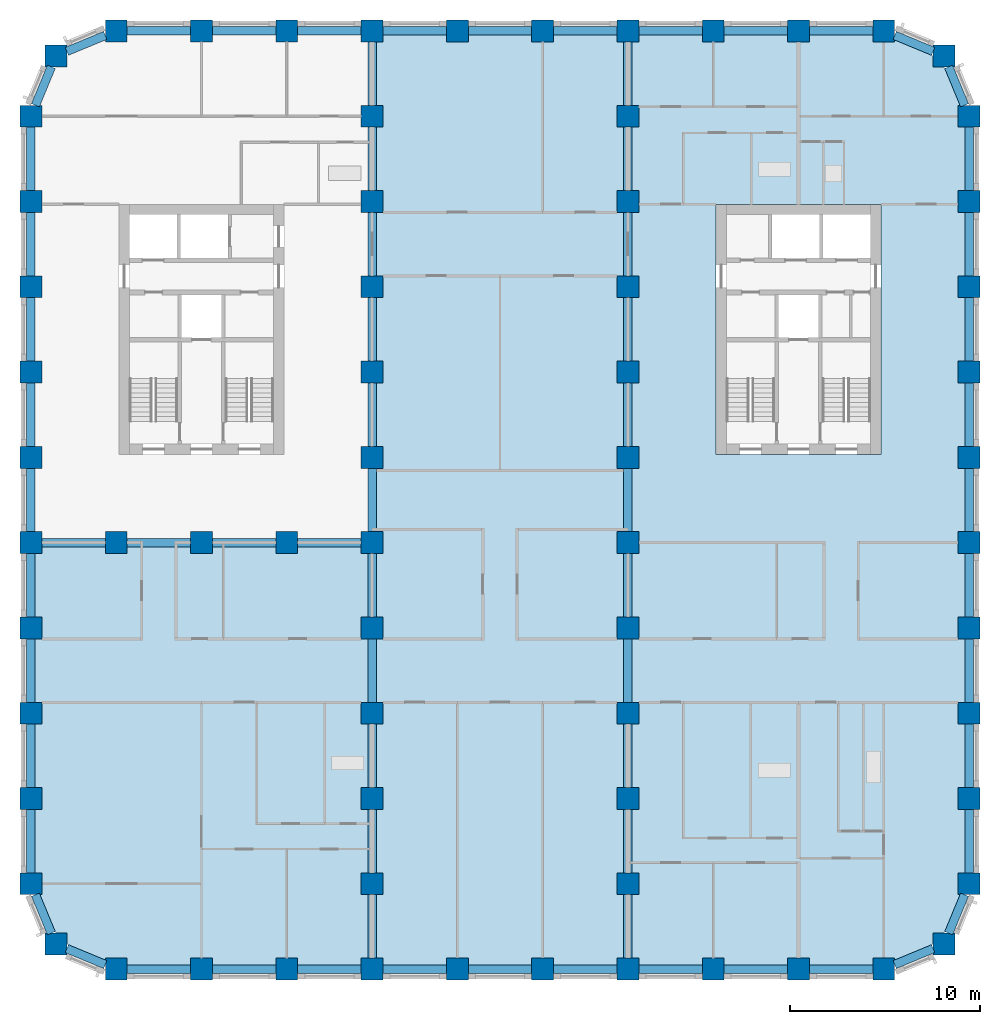
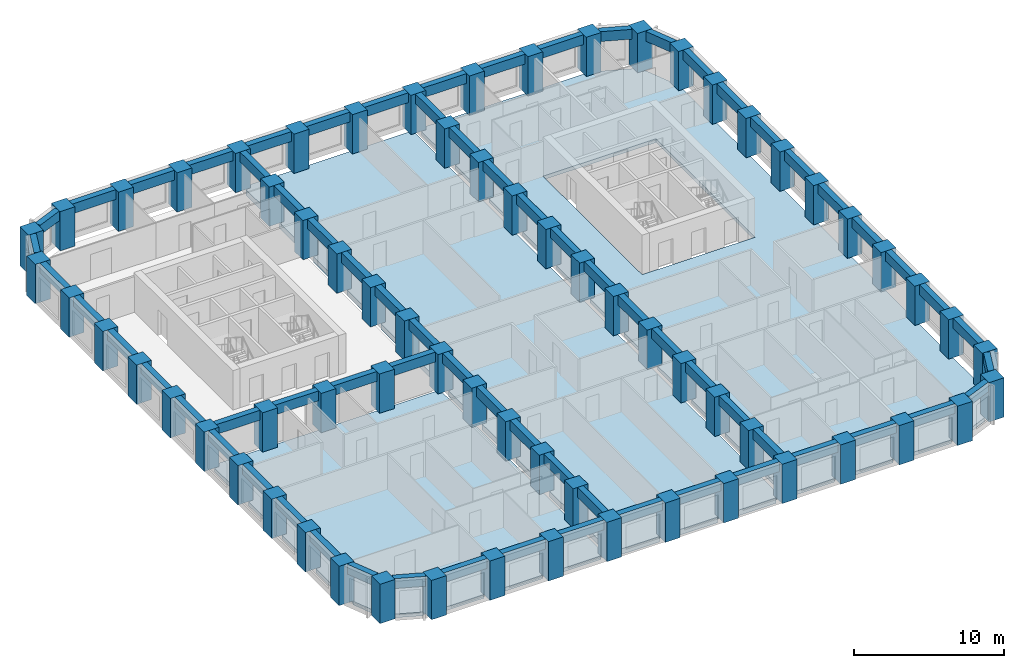
# One storey, part 1 of 12: 70 beams, 67 columns, 3 slabs.
"""IFC4 building model written with IfcOpenShell, lengths in metres."""

import ifcopenshell
import ifcopenshell.guid

model = None  # the IFC model being written
_history = None  # IfcOwnerHistory: only IFC2X3 demands one
_inside = {}  # id of a spatial element -> (the spatial element, [elements in it])
_under = {}  # id of a project, library or spatial element -> (it, [spatial elements below it])
_declared = {}  # id of a project -> (the project, [libraries it declares])
_typed = {}  # id of a type object -> (the type object, [elements of that type])
_made_of = {}  # id of a material, layer set ... -> (it, [elements and type objects made of it])


def new_model(schema):
    """Start an empty IFC model of exactly this schema.

    Asked for "IFC4X3", IfcOpenShell would pick the latest addendum, in which some entities
    have other attributes; the version numbers below select the first issue.
    IFC2X3 requires an IfcOwnerHistory on every rooted entity: one is made here for all.
    """
    global model, _history
    if schema == "IFC4X3":
        model = ifcopenshell.file(schema_version=(4, 3, 0, 0))
    else:
        model = ifcopenshell.file(schema=schema)
    _inside.clear()
    _under.clear()
    _declared.clear()
    _typed.clear()
    _made_of.clear()
    _history = None
    if model.schema == "IFC2X3":
        org = make("IfcOrganization", Name="unknown")
        user = make(
            "IfcPersonAndOrganization",
            ThePerson=make("IfcPerson", FamilyName="unknown"),
            TheOrganization=org,
        )
        app = make(
            "IfcApplication",
            ApplicationDeveloper=org,
            Version="unknown",
            ApplicationFullName="unknown",
            ApplicationIdentifier="unknown",
        )
        _history = make(
            "IfcOwnerHistory",
            OwningUser=user,
            OwningApplication=app,
            ChangeAction="ADDED",
            CreationDate=0,
        )
    return model


def make(cls, **values):
    """One entity of the class cls with the attributes given. An attribute that is None is left unset."""
    return model.create_entity(
        cls, **{name: value for name, value in values.items() if value is not None}
    )


def rooted(cls, **values):
    """An entity with a GlobalId (a new one), such as an element, a storey or a relation."""
    return make(cls, GlobalId=ifcopenshell.guid.new(), OwnerHistory=_history, **values)


def si_unit(unit_type, name, prefix=None):
    """IfcSIUnit, for example si_unit("LENGTHUNIT", "METRE", prefix="MILLI")."""
    return make("IfcSIUnit", UnitType=unit_type, Prefix=prefix, Name=name)


def assignment(units):
    """IfcUnitAssignment: the units of a project."""
    return None if units is None else make("IfcUnitAssignment", Units=units)


def point(xyz):
    """IfcCartesianPoint."""
    return None if xyz is None else make("IfcCartesianPoint", Coordinates=xyz)


def direction(xyz):
    """IfcDirection."""
    return None if xyz is None else make("IfcDirection", DirectionRatios=xyz)


def frame(location, z_axis=None, x_axis=None):
    """IfcAxis2Placement3D, a coordinate frame: its origin and axes. An axis left out is left unset."""
    return make(
        "IfcAxis2Placement3D",
        Location=point(location),
        Axis=direction(z_axis),
        RefDirection=direction(x_axis),
    )


def frame_2d(location, x_axis=None):
    """IfcAxis2Placement2D, a coordinate frame in the plane: its origin and x axis."""
    return make(
        "IfcAxis2Placement2D", Location=point(location), RefDirection=direction(x_axis)
    )


def origin():
    """The frame at (0, 0, 0) with its axes left unset."""
    return frame((0.0, 0.0, 0.0))


def origin_2d():
    """The frame at (0, 0) in the plane with its x axis left unset."""
    return frame_2d((0.0, 0.0))


def place(relative_to, where):
    """IfcLocalPlacement: puts the frame where relative to a parent placement (None: the world)."""
    return make(
        "IfcLocalPlacement", PlacementRelTo=relative_to, RelativePlacement=where
    )


def context(
    kind, dimensions, precision=None, world=None, true_north=None, identifier=None
):
    """IfcGeometricRepresentationContext, for example the 3D "Model" context."""
    return make(
        "IfcGeometricRepresentationContext",
        ContextIdentifier=identifier,
        ContextType=kind,
        CoordinateSpaceDimension=dimensions,
        Precision=precision,
        WorldCoordinateSystem=world,
        TrueNorth=true_north,
    )


def subcontext(parent, identifier, kind, view, scale=None):
    """IfcGeometricRepresentationSubContext, for example "Body" below "Model"."""
    return make(
        "IfcGeometricRepresentationSubContext",
        ContextIdentifier=identifier,
        ContextType=kind,
        ParentContext=parent,
        TargetScale=scale,
        TargetView=view,
    )


def project(units=None, contexts=None):
    """IfcProject with its units and contexts."""
    return rooted(
        "IfcProject",
        Name="project",
        RepresentationContexts=contexts,
        UnitsInContext=assignment(units),
    )


def spatial(cls, under=None, at=None, **own):
    """A site, building, storey or space (cls), placed at a placement, below another one or the project."""
    s = rooted(cls, ObjectPlacement=at, **own)
    if under is not None:
        _under.setdefault(under.id(), (under, []))[1].append(s)
    return s


def polyline(points):
    """IfcPolyline through the points."""
    return make("IfcPolyline", Points=[point(p) for p in points])


def profile(cls, at=None, kind="AREA", **sizes):
    """A parametric profile (cls). Its sizes go by their IFC names, for example OverallWidth=200.0."""
    return make(cls, ProfileType=kind, Position=at, **sizes)


def rectangle(**sizes):
    """IfcRectangleProfileDef."""
    return profile("IfcRectangleProfileDef", **sizes)


def outline(outer, holes=None, kind="AREA"):
    """IfcArbitraryClosedProfileDef: a profile drawn as a closed curve; with holes, ...WithVoids."""
    if holes is None:
        return make("IfcArbitraryClosedProfileDef", ProfileType=kind, OuterCurve=outer)
    return make(
        "IfcArbitraryProfileDefWithVoids",
        ProfileType=kind,
        OuterCurve=outer,
        InnerCurves=holes,
    )


def extrude(swept, where, along, depth):
    """IfcExtrudedAreaSolid: the profile swept, set in the frame where, extruded along a direction by depth."""
    return make(
        "IfcExtrudedAreaSolid",
        SweptArea=swept,
        Position=where,
        ExtrudedDirection=direction(along),
        Depth=depth,
    )


def shape(context_of_items, identifier, shape_type, items):
    """IfcShapeRepresentation: the items that make up one representation, for example the "Body"."""
    return make(
        "IfcShapeRepresentation",
        ContextOfItems=context_of_items,
        RepresentationIdentifier=identifier,
        RepresentationType=shape_type,
        Items=items,
    )


def material(Name=None, Category=None):
    """IfcMaterial."""
    return make("IfcMaterial", Name=Name, Category=Category)


def layer(
    of_material, thickness, ventilated=None, Name=None, Category=None, Priority=None
):
    """IfcMaterialLayer: one layer of a wall or slab, of a material (None: an air gap)."""
    return make(
        "IfcMaterialLayer",
        Material=of_material,
        LayerThickness=thickness,
        IsVentilated=ventilated,
        Name=Name,
        Category=Category,
        Priority=Priority,
    )


def layer_set(layers, Name=None):
    """IfcMaterialLayerSet."""
    return make("IfcMaterialLayerSet", MaterialLayers=layers, LayerSetName=Name)


def material_profile(
    of_material, cross_section, Name=None, Category=None, Priority=None
):
    """IfcMaterialProfile: a cross section and its material."""
    return make(
        "IfcMaterialProfile",
        Name=Name,
        Material=of_material,
        Profile=cross_section,
        Priority=Priority,
        Category=Category,
    )


def profile_set(profiles, Name=None, composite=None):
    """IfcMaterialProfileSet."""
    return make(
        "IfcMaterialProfileSet",
        Name=Name,
        MaterialProfiles=profiles,
        CompositeProfile=composite,
    )


def made_of(thing, what):
    """Note that an element or type object is made of a material, layer set ...; save() writes the relation."""
    if what is not None:
        _made_of.setdefault(what.id(), (what, []))[1].append(thing)
    return thing


def type_object(cls, material=None, **own):
    """A type object (cls), such as IfcWallType, which elements share."""
    return made_of(rooted(cls, **own), material)


def element(
    cls,
    number,
    at=None,
    inside=None,
    cuts=None,
    type_object=None,
    material=None,
    context=None,
    identifier="Body",
    shape_type=None,
    held_by="IfcProductDefinitionShape",
    body=None,
    shapes=None,
    **own,
):
    """One element of the class cls, such as IfcWall. Its Tag is "e" and its number.

    at: its placement. inside: the storey or other place that contains it. cuts: it is an
    opening in that element (IfcRelVoidsElement). A single representation is given by context,
    identifier, shape_type and body (its items); several are given by shapes. held_by: the class
    of the entity that holds the representations. save() writes the other relations.
    """
    e = rooted(cls, Tag="e%d" % number, ObjectPlacement=at, **own)
    if body is not None:
        shapes = [shape(context, identifier, shape_type, body)]
    if shapes is not None:
        e.Representation = make(held_by, Representations=shapes)
    if inside is not None:
        _inside.setdefault(inside.id(), (inside, []))[1].append(e)
    if cuts is not None:
        rooted(
            "IfcRelVoidsElement", RelatingBuildingElement=cuts, RelatedOpeningElement=e
        )
    if type_object is not None:
        _typed.setdefault(type_object.id(), (type_object, []))[1].append(e)
    return made_of(e, material)


def aggregate(whole, parts):
    """IfcRelAggregates: a whole, such as a stair, and the parts it consists of."""
    return rooted("IfcRelAggregates", RelatingObject=whole, RelatedObjects=parts)


def save(model, path):
    """Write the relations noted so far, then the file.

    IfcRelAggregates (storeys below a building ...), IfcRelContainedInSpatialStructure (elements
    in a storey), IfcRelDefinesByType, IfcRelAssociatesMaterial and IfcRelDeclares: one each for
    every whole, place, type object, material and project.
    """
    for whole, parts in _under.values():
        aggregate(whole, parts)
    for where, things in _inside.values():
        rooted(
            "IfcRelContainedInSpatialStructure",
            RelatedElements=things,
            RelatingStructure=where,
        )
    for kind, things in _typed.values():
        rooted("IfcRelDefinesByType", RelatedObjects=things, RelatingType=kind)
    for what, things in _made_of.values():
        rooted("IfcRelAssociatesMaterial", RelatedObjects=things, RelatingMaterial=what)
    for by, libraries in _declared.values():
        rooted("IfcRelDeclares", RelatingContext=by, RelatedDefinitions=libraries)
    model.write(path)


model = new_model("IFC4")

# Units and contexts
model_context = context("Model", 3, precision=1e-05, world=origin(), true_north=direction((0.0, 1.0)))
body_context = subcontext(model_context, "Body", "Model", "MODEL_VIEW")
ifc_project = project(units=[si_unit("LENGTHUNIT", "METRE"), si_unit("AREAUNIT", "SQUARE_METRE"), si_unit("VOLUMEUNIT", "CUBIC_METRE"), si_unit("PLANEANGLEUNIT", "RADIAN"), si_unit("MASSUNIT", "GRAM", prefix="KILO")], contexts=[model_context])

# Site, building, storey
site_placement = place(None, origin())
site = spatial("IfcSite", under=ifc_project, at=site_placement, CompositionType="ELEMENT")
building_placement = place(site_placement, origin())
building = spatial("IfcBuilding", under=site, at=building_placement, Name="Girih Gate Residences", CompositionType="ELEMENT")
storey_placement = place(building_placement, frame((0.0, 0.0, 118.39990234375)))
storey = spatial("IfcBuildingStorey", under=building, at=storey_placement, Name="L33", CompositionType="ELEMENT", Elevation=118.39990234375)

# Columns
ifc_material_1 = material(Name="Concrete C80/95", Category="concrete")
ifc_material_profile_1 = material_profile(ifc_material_1, rectangle(XDim=1.14990234375, YDim=1.14990234375, at=origin_2d()))
ifc_profile_set_1 = profile_set([ifc_material_profile_1], Name="Concrete C80/95")
column_type = type_object("IfcColumnType", Name="Pier RC 1150x1150 Concrete C80/95", PredefinedType="COLUMN", material=ifc_profile_set_1)
for number, where, z_axis, x_axis, name in (
    (1, (4.5, 0.0, 0.0), (0.0, 0.0, 1.0), (1.0, 0.0, 0.0), "Pier P2A L33"),
    (2, (9.0, 0.0, 0.0), (0.0, 0.0, 1.0), (1.0, 0.0, 0.0), "Pier P3A L33"),
    (3, (13.5, 0.0, 0.0), (0.0, 0.0, 1.0), (1.0, 0.0, 0.0), "Pier P4A L33"),
    (4, (18.0, 0.0, 0.0), (0.0, 0.0, 1.0), (1.0, 0.0, 0.0), "Pier P5A L33"),
    (5, (22.5, 0.0, 0.0), (0.0, 0.0, 1.0), (1.0, 0.0, 0.0), "Pier P6A L33"),
    (6, (27.0, 0.0, 0.0), (0.0, 0.0, 1.0), (1.0, 0.0, 0.0), "Pier P7A L33"),
    (7, (31.5, 0.0, 0.0), (0.0, 0.0, 1.0), (1.0, 0.0, 0.0), "Pier P8A L33"),
    (8, (36.0, 0.0, 0.0), (0.0, 0.0, 1.0), (1.0, 0.0, 0.0), "Pier P9A L33"),
    (9, (40.5, 0.0, 0.0), (0.0, 0.0, 1.0), (1.0, 0.0, 0.0), "Pier P10A L33"),
    (10, (45.0, 0.0, 0.0), (0.0, 0.0, 1.0), (1.0, 0.0, 0.0), "Pier P11A L33"),
    (11, (1.318115234375, 1.318115234375, 0.0), (0.0, 0.0, 1.0), (1.0, 0.0, 0.0), "Pier P1ANE L33"),
    (12, (48.181884765625, 1.318115234375, 0.0), (0.0, 0.0, 1.0), (1.0, 0.0, 0.0), "Pier P12ANW L33"),
    (13, (0.0, 4.5, 0.0), (0.0, 0.0, 1.0), (1.0, 0.0, 0.0), "Pier P1B L33"),
    (14, (18.0, 4.5, 0.0), (0.0, 0.0, 1.0), (1.0, 0.0, 0.0), "Pier P5B L33"),
    (15, (31.5, 4.5, 0.0), (0.0, 0.0, 1.0), (1.0, 0.0, 0.0), "Pier P8B L33"),
    (16, (49.5, 4.5, 0.0), (0.0, 0.0, 1.0), (1.0, 0.0, 0.0), "Pier P12B L33"),
    (17, (0.0, 9.0, 0.0), (0.0, 0.0, 1.0), (1.0, 0.0, 0.0), "Pier P1C L33"),
    (18, (18.0, 9.0, 0.0), (0.0, 0.0, 1.0), (1.0, 0.0, 0.0), "Pier P5C L33"),
    (19, (31.5, 9.0, 0.0), (0.0, 0.0, 1.0), (1.0, 0.0, 0.0), "Pier P8C L33"),
    (20, (49.5, 9.0, 0.0), (0.0, 0.0, 1.0), (1.0, 0.0, 0.0), "Pier P12C L33"),
    (21, (0.0, 13.5, 0.0), (0.0, 0.0, 1.0), (1.0, 0.0, 0.0), "Pier P1D L33"),
    (22, (18.0, 13.5, 0.0), (0.0, 0.0, 1.0), (1.0, 0.0, 0.0), "Pier P5D L33"),
    (23, (31.5, 13.5, 0.0), (0.0, 0.0, 1.0), (1.0, 0.0, 0.0), "Pier P8D L33"),
    (24, (49.5, 13.5, 0.0), (0.0, 0.0, 1.0), (1.0, 0.0, 0.0), "Pier P12D L33"),
    (25, (0.0, 18.0, 0.0), (0.0, 0.0, 1.0), (1.0, 0.0, 0.0), "Pier P1E L33"),
    (26, (18.0, 18.0, 0.0), (0.0, 0.0, 1.0), (1.0, 0.0, 0.0), "Pier P5E L33"),
    (27, (31.5, 18.0, 0.0), (0.0, 0.0, 1.0), (1.0, 0.0, 0.0), "Pier P8E L33"),
    (28, (49.5, 18.0, 0.0), (0.0, 0.0, 1.0), (1.0, 0.0, 0.0), "Pier P12E L33"),
    (29, (0.0, 22.5, 0.0), (0.0, 0.0, 1.0), (1.0, 0.0, 0.0), "Pier P1F L33"),
    (30, (4.5, 22.5, 0.0), (0.0, 0.0, 1.0), (1.0, 0.0, 0.0), "Pier P2F L33"),
    (31, (9.0, 22.5, 0.0), (0.0, 0.0, 1.0), (1.0, 0.0, 0.0), "Pier P3F L33"),
    (32, (13.5, 22.5, 0.0), (0.0, 0.0, 1.0), (1.0, 0.0, 0.0), "Pier P4F L33"),
    (33, (18.0, 22.5, 0.0), (0.0, 0.0, 1.0), (1.0, 0.0, 0.0), "Pier P5F L33"),
    (34, (31.5, 22.5, 0.0), (0.0, 0.0, 1.0), (1.0, 0.0, 0.0), "Pier P8F L33"),
    (35, (49.5, 22.5, 0.0), (0.0, 0.0, 1.0), (1.0, 0.0, 0.0), "Pier P12F L33"),
    (36, (0.0, 27.0, 0.0), (0.0, 0.0, 1.0), (1.0, 0.0, 0.0), "Pier P1G L33"),
    (37, (18.0, 27.0, 0.0), (0.0, 0.0, 1.0), (1.0, 0.0, 0.0), "Pier P5G L33"),
    (38, (31.5, 27.0, 0.0), (0.0, 0.0, 1.0), (1.0, 0.0, 0.0), "Pier P8G L33"),
    (39, (49.5, 27.0, 0.0), (0.0, 0.0, 1.0), (1.0, 0.0, 0.0), "Pier P12G L33"),
    (40, (0.0, 31.5, 0.0), (0.0, 0.0, 1.0), (1.0, 0.0, 0.0), "Pier P1H L33"),
    (41, (18.0, 31.5, 0.0), (0.0, 0.0, 1.0), (1.0, 0.0, 0.0), "Pier P5H L33"),
    (42, (31.5, 31.5, 0.0), (0.0, 0.0, 1.0), (1.0, 0.0, 0.0), "Pier P8H L33"),
    (43, (49.5, 31.5, 0.0), (0.0, 0.0, 1.0), (1.0, 0.0, 0.0), "Pier P12H L33"),
    (44, (0.0, 36.0, 0.0), (0.0, 0.0, 1.0), (1.0, 0.0, 0.0), "Pier P1I L33"),
    (45, (18.0, 36.0, 0.0), (0.0, 0.0, 1.0), (1.0, 0.0, 0.0), "Pier P5I L33"),
    (46, (31.5, 36.0, 0.0), (0.0, 0.0, 1.0), (1.0, 0.0, 0.0), "Pier P8I L33"),
    (47, (49.5, 36.0, 0.0), (0.0, 0.0, 1.0), (1.0, 0.0, 0.0), "Pier P12I L33"),
    (48, (0.0, 40.5, 0.0), (0.0, 0.0, 1.0), (1.0, 0.0, 0.0), "Pier P1J L33"),
    (49, (18.0, 40.5, 0.0), (0.0, 0.0, 1.0), (1.0, 0.0, 0.0), "Pier P5J L33"),
    (50, (31.5, 40.5, 0.0), (0.0, 0.0, 1.0), (1.0, 0.0, 0.0), "Pier P8J L33"),
    (51, (49.5, 40.5, 0.0), (0.0, 0.0, 1.0), (1.0, 0.0, 0.0), "Pier P12J L33"),
    (52, (0.0, 45.0, 0.0), (0.0, 0.0, 1.0), (1.0, 0.0, 0.0), "Pier P1K L33"),
    (53, (18.0, 45.0, 0.0), (0.0, 0.0, 1.0), (1.0, 0.0, 0.0), "Pier P5K L33"),
    (54, (31.5, 45.0, 0.0), (0.0, 0.0, 1.0), (1.0, 0.0, 0.0), "Pier P8K L33"),
    (55, (49.5, 45.0, 0.0), (0.0, 0.0, 1.0), (1.0, 0.0, 0.0), "Pier P12K L33"),
    (56, (1.318115234375, 48.181884765625, 0.0), (0.0, 0.0, 1.0), (1.0, 0.0, 0.0), "Pier P1LSE L33"),
    (57, (48.181884765625, 48.181884765625, 0.0), (0.0, 0.0, 1.0), (1.0, 0.0, 0.0), "Pier P12LSW L33"),
    (58, (4.5, 49.5, 0.0), (0.0, 0.0, 1.0), (1.0, 0.0, 0.0), "Pier P2L L33"),
    (59, (9.0, 49.5, 0.0), (0.0, 0.0, 1.0), (1.0, 0.0, 0.0), "Pier P3L L33"),
    (60, (13.5, 49.5, 0.0), (0.0, 0.0, 1.0), (1.0, 0.0, 0.0), "Pier P4L L33"),
    (61, (18.0, 49.5, 0.0), (0.0, 0.0, 1.0), (1.0, 0.0, 0.0), "Pier P5L L33"),
    (62, (22.5, 49.5, 0.0), (0.0, 0.0, 1.0), (1.0, 0.0, 0.0), "Pier P6L L33"),
    (63, (27.0, 49.5, 0.0), (0.0, 0.0, 1.0), (1.0, 0.0, 0.0), "Pier P7L L33"),
    (64, (31.5, 49.5, 0.0), (0.0, 0.0, 1.0), (1.0, 0.0, 0.0), "Pier P8L L33"),
    (65, (36.0, 49.5, 0.0), (0.0, 0.0, 1.0), (1.0, 0.0, 0.0), "Pier P9L L33"),
    (66, (40.5, 49.5, 0.0), (0.0, 0.0, 1.0), (1.0, 0.0, 0.0), "Pier P10L L33"),
    (67, (45.0, 49.5, 0.0), (0.0, 0.0, 1.0), (1.0, 0.0, 0.0), "Pier P11L L33"),
):
    element("IfcColumn", number, at=place(storey_placement, frame(where, z_axis=z_axis, x_axis=x_axis)), inside=storey, type_object=column_type, Name=name, PredefinedType="COLUMN", context=body_context, shape_type="SweptSolid", body=[
        extrude(rectangle(XDim=1.14990234375, YDim=1.14990234375, at=origin_2d()), origin(), (0.0, 0.0, 1.0), 3.2001953125),
    ])

# Beams
ifc_material_2 = material(Name="Concrete C60/75", Category="concrete")
ifc_material_profile_2 = material_profile(ifc_material_2, rectangle(XDim=0.449951171875, YDim=0.800048828125, at=origin_2d()))
ifc_profile_set_2 = profile_set([ifc_material_profile_2], Name="Concrete C60/75")
beam_type = type_object("IfcBeamType", Name="Spandrel girder RC 450x800 Concrete C60/75", PredefinedType="BEAM", material=ifc_profile_set_2)
for number, where, z_axis, x_axis, name in (
    (68, (0.23828125, 3.925048828125, 2.800048828125), (0.382636106589, -0.92389913407, 0.0), (0.92389913407, 0.382636106589, 0.0), "Spandrel girder SP-P1B-P1ANE L33"),
    (69, (1.89306640625, 1.079833984375, 2.800048828125), (0.92389913407, -0.382636106589, 0.0), (0.382636106589, 0.92389913407, 0.0), "Spandrel girder SP-P1ANE-P2A L33"),
):
    element("IfcBeam", number, at=place(storey_placement, frame(where, z_axis=z_axis, x_axis=x_axis)), inside=storey, type_object=beam_type, Name=name, PredefinedType="BEAM", context=body_context, shape_type="SweptSolid", body=[
        extrude(rectangle(XDim=0.449951171875, YDim=0.800048828125, at=origin_2d()), origin(), (0.0, 0.0, 1.0), 2.199462890625),
    ])
for number, where, z_axis, x_axis, name in (
    (70, (5.074951171875, 0.0, 2.800048828125), (1.0, 0.0, 0.0), (0.0, 1.0, 0.0), "Spandrel girder SP-P2A-P3A L33"),
    (71, (9.574951171875, 0.0, 2.800048828125), (1.0, 0.0, 0.0), (0.0, 1.0, 0.0), "Spandrel girder SP-P3A-P4A L33"),
    (72, (14.074951171875, 0.0, 2.800048828125), (1.0, 0.0, 0.0), (0.0, 1.0, 0.0), "Spandrel girder SP-P4A-P5A L33"),
    (73, (18.574951171875, 0.0, 2.800048828125), (1.0, 0.0, 0.0), (0.0, 1.0, 0.0), "Spandrel girder SP-P5A-P6A L33"),
    (74, (23.074951171875, 0.0, 2.800048828125), (1.0, 0.0, 0.0), (0.0, 1.0, 0.0), "Spandrel girder SP-P6A-P7A L33"),
    (75, (27.574951171875, 0.0, 2.800048828125), (1.0, 0.0, 0.0), (0.0, 1.0, 0.0), "Spandrel girder SP-P7A-P8A L33"),
    (76, (32.074951171875, 0.0, 2.800048828125), (1.0, 0.0, 0.0), (0.0, 1.0, 0.0), "Spandrel girder SP-P8A-P9A L33"),
    (77, (36.574951171875, 0.0, 2.800048828125), (1.0, 0.0, 0.0), (0.0, 1.0, 0.0), "Spandrel girder SP-P9A-P10A L33"),
    (78, (41.074951171875, 0.0, 2.800048828125), (1.0, 0.0, 0.0), (0.0, 1.0, 0.0), "Spandrel girder SP-P10A-P11A L33"),
):
    element("IfcBeam", number, at=place(storey_placement, frame(where, z_axis=z_axis, x_axis=x_axis)), inside=storey, type_object=beam_type, Name=name, PredefinedType="BEAM", context=body_context, shape_type="SweptSolid", body=[
        extrude(rectangle(XDim=0.449951171875, YDim=0.800048828125, at=origin_2d()), origin(), (0.0, 0.0, 1.0), 3.35009765625),
    ])
for number, where, z_axis, x_axis, name in (
    (79, (45.574951171875, 0.23828125, 2.800048828125), (0.92389913407, 0.382636106589, 0.0), (-0.382636106589, 0.92389913407, 0.0), "Spandrel girder SP-P11A-P12ANW L33"),
    (80, (48.420166015625, 1.89306640625, 2.800048828125), (0.382636106589, 0.92389913407, 0.0), (-0.92389913407, 0.382636106589, 0.0), "Spandrel girder SP-P12ANW-P12B L33"),
):
    element("IfcBeam", number, at=place(storey_placement, frame(where, z_axis=z_axis, x_axis=x_axis)), inside=storey, type_object=beam_type, Name=name, PredefinedType="BEAM", context=body_context, shape_type="SweptSolid", body=[
        extrude(rectangle(XDim=0.449951171875, YDim=0.800048828125, at=origin_2d()), origin(), (0.0, 0.0, 1.0), 2.199462890625),
    ])
for number, where, z_axis, x_axis, name in (
    (81, (49.5, 5.074951171875, 2.800048828125), (0.0, 1.0, 0.0), (-1.0, 0.0, 0.0), "Spandrel girder SP-P12B-P12C L33"),
    (82, (49.5, 9.574951171875, 2.800048828125), (0.0, 1.0, 0.0), (-1.0, 0.0, 0.0), "Spandrel girder SP-P12C-P12D L33"),
    (83, (49.5, 14.074951171875, 2.800048828125), (0.0, 1.0, 0.0), (-1.0, 0.0, 0.0), "Spandrel girder SP-P12D-P12E L33"),
    (84, (49.5, 18.574951171875, 2.800048828125), (0.0, 1.0, 0.0), (-1.0, 0.0, 0.0), "Spandrel girder SP-P12E-P12F L33"),
    (85, (49.5, 23.074951171875, 2.800048828125), (0.0, 1.0, 0.0), (-1.0, 0.0, 0.0), "Spandrel girder SP-P12F-P12G L33"),
    (86, (49.5, 27.574951171875, 2.800048828125), (0.0, 1.0, 0.0), (-1.0, 0.0, 0.0), "Spandrel girder SP-P12G-P12H L33"),
    (87, (49.5, 32.074951171875, 2.800048828125), (0.0, 1.0, 0.0), (-1.0, 0.0, 0.0), "Spandrel girder SP-P12H-P12I L33"),
    (88, (49.5, 36.574951171875, 2.800048828125), (0.0, 1.0, 0.0), (-1.0, 0.0, 0.0), "Spandrel girder SP-P12I-P12J L33"),
    (89, (49.5, 41.074951171875, 2.800048828125), (0.0, 1.0, 0.0), (-1.0, 0.0, 0.0), "Spandrel girder SP-P12J-P12K L33"),
):
    element("IfcBeam", number, at=place(storey_placement, frame(where, z_axis=z_axis, x_axis=x_axis)), inside=storey, type_object=beam_type, Name=name, PredefinedType="BEAM", context=body_context, shape_type="SweptSolid", body=[
        extrude(rectangle(XDim=0.449951171875, YDim=0.800048828125, at=origin_2d()), origin(), (0.0, 0.0, 1.0), 3.35009765625),
    ])
for number, where, z_axis, x_axis, name in (
    (90, (49.26171875, 45.574951171875, 2.800048828125), (-0.382636106589, 0.92389913407, 0.0), (-0.92389913407, -0.382636106589, 0.0), "Spandrel girder SP-P12K-P12LSW L33"),
    (91, (47.60693359375, 48.420166015625, 2.800048828125), (-0.92389913407, 0.382636106589, 0.0), (-0.382636106589, -0.92389913407, 0.0), "Spandrel girder SP-P12LSW-P11L L33"),
):
    element("IfcBeam", number, at=place(storey_placement, frame(where, z_axis=z_axis, x_axis=x_axis)), inside=storey, type_object=beam_type, Name=name, PredefinedType="BEAM", context=body_context, shape_type="SweptSolid", body=[
        extrude(rectangle(XDim=0.449951171875, YDim=0.800048828125, at=origin_2d()), origin(), (0.0, 0.0, 1.0), 2.199462890625),
    ])
for number, where, z_axis, x_axis, name in (
    (92, (44.425048828125, 49.5, 2.800048828125), (-1.0, 0.0, 0.0), (0.0, -1.0, 0.0), "Spandrel girder SP-P11L-P10L L33"),
    (93, (39.925048828125, 49.5, 2.800048828125), (-1.0, 0.0, 0.0), (0.0, -1.0, 0.0), "Spandrel girder SP-P10L-P9L L33"),
    (94, (35.425048828125, 49.5, 2.800048828125), (-1.0, 0.0, 0.0), (0.0, -1.0, 0.0), "Spandrel girder SP-P9L-P8L L33"),
    (95, (30.925048828125, 49.5, 2.800048828125), (-1.0, 0.0, 0.0), (0.0, -1.0, 0.0), "Spandrel girder SP-P8L-P7L L33"),
    (96, (26.425048828125, 49.5, 2.800048828125), (-1.0, 0.0, 0.0), (0.0, -1.0, 0.0), "Spandrel girder SP-P7L-P6L L33"),
    (97, (21.925048828125, 49.5, 2.800048828125), (-1.0, 0.0, 0.0), (0.0, -1.0, 0.0), "Spandrel girder SP-P6L-P5L L33"),
    (98, (17.425048828125, 49.5, 2.800048828125), (-1.0, 0.0, 0.0), (0.0, -1.0, 0.0), "Spandrel girder SP-P5L-P4L L33"),
    (99, (12.925048828125, 49.5, 2.800048828125), (-1.0, 0.0, 0.0), (0.0, -1.0, 0.0), "Spandrel girder SP-P4L-P3L L33"),
    (100, (8.425048828125, 49.5, 2.800048828125), (-1.0, 0.0, 0.0), (0.0, -1.0, 0.0), "Spandrel girder SP-P3L-P2L L33"),
):
    element("IfcBeam", number, at=place(storey_placement, frame(where, z_axis=z_axis, x_axis=x_axis)), inside=storey, type_object=beam_type, Name=name, PredefinedType="BEAM", context=body_context, shape_type="SweptSolid", body=[
        extrude(rectangle(XDim=0.449951171875, YDim=0.800048828125, at=origin_2d()), origin(), (0.0, 0.0, 1.0), 3.35009765625),
    ])
for number, where, z_axis, x_axis, name in (
    (101, (3.925048828125, 49.26171875, 2.800048828125), (-0.92389913407, -0.382636106589, 0.0), (0.382636106589, -0.92389913407, 0.0), "Spandrel girder SP-P2L-P1LSE L33"),
    (102, (1.079833984375, 47.60693359375, 2.800048828125), (-0.382636106589, -0.92389913407, 0.0), (0.92389913407, -0.382636106589, 0.0), "Spandrel girder SP-P1LSE-P1K L33"),
):
    element("IfcBeam", number, at=place(storey_placement, frame(where, z_axis=z_axis, x_axis=x_axis)), inside=storey, type_object=beam_type, Name=name, PredefinedType="BEAM", context=body_context, shape_type="SweptSolid", body=[
        extrude(rectangle(XDim=0.449951171875, YDim=0.800048828125, at=origin_2d()), origin(), (0.0, 0.0, 1.0), 2.199462890625),
    ])
for number, where, z_axis, x_axis, name in (
    (103, (0.0, 44.425048828125, 2.800048828125), (0.0, -1.0, 0.0), (1.0, 0.0, 0.0), "Spandrel girder SP-P1K-P1J L33"),
    (104, (0.0, 39.925048828125, 2.800048828125), (0.0, -1.0, 0.0), (1.0, 0.0, 0.0), "Spandrel girder SP-P1J-P1I L33"),
    (105, (0.0, 35.425048828125, 2.800048828125), (0.0, -1.0, 0.0), (1.0, 0.0, 0.0), "Spandrel girder SP-P1I-P1H L33"),
    (106, (0.0, 30.925048828125, 2.800048828125), (0.0, -1.0, 0.0), (1.0, 0.0, 0.0), "Spandrel girder SP-P1H-P1G L33"),
    (107, (0.0, 26.425048828125, 2.800048828125), (0.0, -1.0, 0.0), (1.0, 0.0, 0.0), "Spandrel girder SP-P1G-P1F L33"),
    (108, (0.0, 21.925048828125, 2.800048828125), (0.0, -1.0, 0.0), (1.0, 0.0, 0.0), "Spandrel girder SP-P1F-P1E L33"),
    (109, (0.0, 17.425048828125, 2.800048828125), (0.0, -1.0, 0.0), (1.0, 0.0, 0.0), "Spandrel girder SP-P1E-P1D L33"),
    (110, (0.0, 12.925048828125, 2.800048828125), (0.0, -1.0, 0.0), (1.0, 0.0, 0.0), "Spandrel girder SP-P1D-P1C L33"),
    (111, (0.0, 8.425048828125, 2.800048828125), (0.0, -1.0, 0.0), (1.0, 0.0, 0.0), "Spandrel girder SP-P1C-P1B L33"),
    (112, (18.0, 0.574951171875, 2.800048828125), (0.0, 1.0, 0.0), (-1.0, 0.0, 0.0), "Spandrel girder SP-P5A-P5B L33"),
    (113, (18.0, 5.074951171875, 2.800048828125), (0.0, 1.0, 0.0), (-1.0, 0.0, 0.0), "Spandrel girder SP-P5B-P5C L33"),
    (114, (18.0, 9.574951171875, 2.800048828125), (0.0, 1.0, 0.0), (-1.0, 0.0, 0.0), "Spandrel girder SP-P5C-P5D L33"),
    (115, (18.0, 14.074951171875, 2.800048828125), (0.0, 1.0, 0.0), (-1.0, 0.0, 0.0), "Spandrel girder SP-P5D-P5E L33"),
    (116, (18.0, 18.574951171875, 2.800048828125), (0.0, 1.0, 0.0), (-1.0, 0.0, 0.0), "Spandrel girder SP-P5E-P5F L33"),
    (117, (18.0, 23.074951171875, 2.800048828125), (0.0, 1.0, 0.0), (-1.0, 0.0, 0.0), "Spandrel girder SP-P5F-P5G L33"),
    (118, (18.0, 27.574951171875, 2.800048828125), (0.0, 1.0, 0.0), (-1.0, 0.0, 0.0), "Spandrel girder SP-P5G-P5H L33"),
    (119, (18.0, 32.074951171875, 2.800048828125), (0.0, 1.0, 0.0), (-1.0, 0.0, 0.0), "Spandrel girder SP-P5H-P5I L33"),
    (120, (18.0, 36.574951171875, 2.800048828125), (0.0, 1.0, 0.0), (-1.0, 0.0, 0.0), "Spandrel girder SP-P5I-P5J L33"),
    (121, (18.0, 41.074951171875, 2.800048828125), (0.0, 1.0, 0.0), (-1.0, 0.0, 0.0), "Spandrel girder SP-P5J-P5K L33"),
    (122, (18.0, 45.574951171875, 2.800048828125), (0.0, 1.0, 0.0), (-1.0, 0.0, 0.0), "Spandrel girder SP-P5K-P5L L33"),
    (123, (31.5, 0.574951171875, 2.800048828125), (0.0, 1.0, 0.0), (-1.0, 0.0, 0.0), "Spandrel girder SP-P8A-P8B L33"),
    (124, (31.5, 5.074951171875, 2.800048828125), (0.0, 1.0, 0.0), (-1.0, 0.0, 0.0), "Spandrel girder SP-P8B-P8C L33"),
    (125, (31.5, 9.574951171875, 2.800048828125), (0.0, 1.0, 0.0), (-1.0, 0.0, 0.0), "Spandrel girder SP-P8C-P8D L33"),
    (126, (31.5, 14.074951171875, 2.800048828125), (0.0, 1.0, 0.0), (-1.0, 0.0, 0.0), "Spandrel girder SP-P8D-P8E L33"),
    (127, (31.5, 18.574951171875, 2.800048828125), (0.0, 1.0, 0.0), (-1.0, 0.0, 0.0), "Spandrel girder SP-P8E-P8F L33"),
    (128, (31.5, 23.074951171875, 2.800048828125), (0.0, 1.0, 0.0), (-1.0, 0.0, 0.0), "Spandrel girder SP-P8F-P8G L33"),
    (129, (31.5, 27.574951171875, 2.800048828125), (0.0, 1.0, 0.0), (-1.0, 0.0, 0.0), "Spandrel girder SP-P8G-P8H L33"),
    (130, (31.5, 32.074951171875, 2.800048828125), (0.0, 1.0, 0.0), (-1.0, 0.0, 0.0), "Spandrel girder SP-P8H-P8I L33"),
    (131, (31.5, 36.574951171875, 2.800048828125), (0.0, 1.0, 0.0), (-1.0, 0.0, 0.0), "Spandrel girder SP-P8I-P8J L33"),
    (132, (31.5, 41.074951171875, 2.800048828125), (0.0, 1.0, 0.0), (-1.0, 0.0, 0.0), "Spandrel girder SP-P8J-P8K L33"),
    (133, (31.5, 45.574951171875, 2.800048828125), (0.0, 1.0, 0.0), (-1.0, 0.0, 0.0), "Spandrel girder SP-P8K-P8L L33"),
    (134, (0.574951171875, 22.5, 2.800048828125), (1.0, 0.0, 0.0), (0.0, 1.0, 0.0), "Spandrel girder SP-P1F-P2F L33"),
    (135, (5.074951171875, 22.5, 2.800048828125), (1.0, 0.0, 0.0), (0.0, 1.0, 0.0), "Spandrel girder SP-P2F-P3F L33"),
    (136, (9.574951171875, 22.5, 2.800048828125), (1.0, 0.0, 0.0), (0.0, 1.0, 0.0), "Spandrel girder SP-P3F-P4F L33"),
    (137, (14.074951171875, 22.5, 2.800048828125), (1.0, 0.0, 0.0), (0.0, 1.0, 0.0), "Spandrel girder SP-P4F-P5F L33"),
):
    element("IfcBeam", number, at=place(storey_placement, frame(where, z_axis=z_axis, x_axis=x_axis)), inside=storey, type_object=beam_type, Name=name, PredefinedType="BEAM", context=body_context, shape_type="SweptSolid", body=[
        extrude(rectangle(XDim=0.449951171875, YDim=0.800048828125, at=origin_2d()), origin(), (0.0, 0.0, 1.0), 3.35009765625),
    ])

# Slabs
ifc_material_3 = material(Name="Concrete C40/50", Category="concrete")
ifc_layer_1 = layer(ifc_material_3, 0.300048828125)
ifc_layer_set_1 = layer_set([ifc_layer_1], Name="Floor slab PT 300 Concrete C40/50")
slab_type_1 = type_object("IfcSlabType", Name="Floor slab PT 300 Concrete C40/50", PredefinedType="FLOOR", material=ifc_layer_set_1)
slab_1_placement = place(storey_placement, frame((0.0, 0.0, -0.2998046875)))
element("IfcSlab", 138, at=slab_1_placement, inside=storey, type_object=slab_type_1, Name="Floor slab L33 0", PredefinedType="FLOOR", context=body_context, shape_type="SweptSolid", body=[
    extrude(outline(polyline([(0.22509765625, 8.425048828125), (0.22509765625, 5.074951171875), (0.574951171875, 5.074951171875), (0.574951171875, 3.925048828125), (0.481689453125, 3.925048828125), (1.323486328125, 1.89306640625), (1.89306640625, 1.89306640625), (1.89306640625, 1.323486328125), (3.925048828125, 0.481689453125), (3.925048828125, 0.574951171875), (5.074951171875, 0.574951171875), (5.074951171875, 0.22509765625), (8.425048828125, 0.22509765625), (8.425048828125, 0.574951171875), (9.574951171875, 0.574951171875), (9.574951171875, 0.22509765625), (12.925048828125, 0.22509765625), (12.925048828125, 0.574951171875), (14.074951171875, 0.574951171875), (14.074951171875, 0.22509765625), (17.425048828125, 0.22509765625), (17.425048828125, 0.574951171875), (17.77490234375, 0.574951171875), (17.77490234375, 3.925048828125), (17.425048828125, 3.925048828125), (17.425048828125, 5.074951171875), (17.77490234375, 5.074951171875), (17.77490234375, 8.425048828125), (17.425048828125, 8.425048828125), (17.425048828125, 9.574951171875), (17.77490234375, 9.574951171875), (17.77490234375, 12.925048828125), (17.425048828125, 12.925048828125), (17.425048828125, 14.074951171875), (17.77490234375, 14.074951171875), (17.77490234375, 17.425048828125), (17.425048828125, 17.425048828125), (17.425048828125, 18.574951171875), (17.77490234375, 18.574951171875), (17.77490234375, 21.925048828125), (17.425048828125, 21.925048828125), (17.425048828125, 22.27490234375), (14.074951171875, 22.27490234375), (14.074951171875, 21.925048828125), (12.925048828125, 21.925048828125), (12.925048828125, 22.27490234375), (9.574951171875, 22.27490234375), (9.574951171875, 21.925048828125), (8.425048828125, 21.925048828125), (8.425048828125, 22.27490234375), (5.074951171875, 22.27490234375), (5.074951171875, 21.925048828125), (3.925048828125, 21.925048828125), (3.925048828125, 22.27490234375), (0.574951171875, 22.27490234375), (0.574951171875, 21.925048828125), (0.22509765625, 21.925048828125), (0.22509765625, 18.574951171875), (0.574951171875, 18.574951171875), (0.574951171875, 17.425048828125), (0.22509765625, 17.425048828125), (0.22509765625, 14.074951171875), (0.574951171875, 14.074951171875), (0.574951171875, 12.925048828125), (0.22509765625, 12.925048828125), (0.22509765625, 9.574951171875), (0.574951171875, 9.574951171875), (0.574951171875, 8.425048828125), (0.22509765625, 8.425048828125)])), origin(), (0.0, 0.0, 1.0), 0.2998046875),
])
slab_2_placement = place(storey_placement, frame((0.0, 0.0, -0.2998046875)))
element("IfcSlab", 139, at=slab_2_placement, inside=storey, type_object=slab_type_1, Name="Floor slab L33 1", PredefinedType="FLOOR", context=body_context, shape_type="SweptSolid", body=[
    extrude(outline(polyline([(35.425048828125, 49.27490234375), (32.074951171875, 49.27490234375), (32.074951171875, 48.925048828125), (31.72509765625, 48.925048828125), (31.72509765625, 45.574951171875), (32.074951171875, 45.574951171875), (32.074951171875, 44.425048828125), (31.72509765625, 44.425048828125), (31.72509765625, 41.074951171875), (32.074951171875, 41.074951171875), (32.074951171875, 39.925048828125), (31.72509765625, 39.925048828125), (31.72509765625, 36.574951171875), (32.074951171875, 36.574951171875), (32.074951171875, 35.425048828125), (31.72509765625, 35.425048828125), (31.72509765625, 32.074951171875), (32.074951171875, 32.074951171875), (32.074951171875, 30.925048828125), (31.72509765625, 30.925048828125), (31.72509765625, 27.574951171875), (32.074951171875, 27.574951171875), (32.074951171875, 26.425048828125), (31.72509765625, 26.425048828125), (31.72509765625, 23.074951171875), (32.074951171875, 23.074951171875), (32.074951171875, 21.925048828125), (31.72509765625, 21.925048828125), (31.72509765625, 18.574951171875), (32.074951171875, 18.574951171875), (32.074951171875, 17.425048828125), (31.72509765625, 17.425048828125), (31.72509765625, 14.074951171875), (32.074951171875, 14.074951171875), (32.074951171875, 12.925048828125), (31.72509765625, 12.925048828125), (31.72509765625, 9.574951171875), (32.074951171875, 9.574951171875), (32.074951171875, 8.425048828125), (31.72509765625, 8.425048828125), (31.72509765625, 5.074951171875), (32.074951171875, 5.074951171875), (32.074951171875, 3.925048828125), (31.72509765625, 3.925048828125), (31.72509765625, 0.574951171875), (32.074951171875, 0.574951171875), (32.074951171875, 0.22509765625), (35.425048828125, 0.22509765625), (35.425048828125, 0.574951171875), (36.574951171875, 0.574951171875), (36.574951171875, 0.22509765625), (39.925048828125, 0.22509765625), (39.925048828125, 0.574951171875), (41.074951171875, 0.574951171875), (41.074951171875, 0.22509765625), (44.425048828125, 0.22509765625), (44.425048828125, 0.574951171875), (45.574951171875, 0.574951171875), (45.574951171875, 0.481689453125), (47.60693359375, 1.323486328125), (47.60693359375, 1.89306640625), (48.176513671875, 1.89306640625), (49.018310546875, 3.925048828125), (48.925048828125, 3.925048828125), (48.925048828125, 5.074951171875), (49.27490234375, 5.074951171875), (49.27490234375, 8.425048828125), (48.925048828125, 8.425048828125), (48.925048828125, 9.574951171875), (49.27490234375, 9.574951171875), (49.27490234375, 12.925048828125), (48.925048828125, 12.925048828125), (48.925048828125, 14.074951171875), (49.27490234375, 14.074951171875), (49.27490234375, 17.425048828125), (48.925048828125, 17.425048828125), (48.925048828125, 18.574951171875), (49.27490234375, 18.574951171875), (49.27490234375, 21.925048828125), (48.925048828125, 21.925048828125), (48.925048828125, 23.074951171875), (49.27490234375, 23.074951171875), (49.27490234375, 26.425048828125), (48.925048828125, 26.425048828125), (48.925048828125, 27.574951171875), (49.27490234375, 27.574951171875), (49.27490234375, 30.925048828125), (48.925048828125, 30.925048828125), (48.925048828125, 32.074951171875), (49.27490234375, 32.074951171875), (49.27490234375, 35.425048828125), (48.925048828125, 35.425048828125), (48.925048828125, 36.574951171875), (49.27490234375, 36.574951171875), (49.27490234375, 39.925048828125), (48.925048828125, 39.925048828125), (48.925048828125, 41.074951171875), (49.27490234375, 41.074951171875), (49.27490234375, 44.425048828125), (48.925048828125, 44.425048828125), (48.925048828125, 45.574951171875), (49.018310546875, 45.574951171875), (48.176513671875, 47.60693359375), (47.60693359375, 47.60693359375), (47.60693359375, 48.176513671875), (45.574951171875, 49.018310546875), (45.574951171875, 48.925048828125), (44.425048828125, 48.925048828125), (44.425048828125, 49.27490234375), (41.074951171875, 49.27490234375), (41.074951171875, 48.925048828125), (39.925048828125, 48.925048828125), (39.925048828125, 49.27490234375), (36.574951171875, 49.27490234375), (36.574951171875, 48.925048828125), (35.425048828125, 48.925048828125), (35.425048828125, 49.27490234375)]), holes=[polyline([(44.85009765625, 40.35009765625), (44.85009765625, 27.14990234375), (36.14990234375, 27.14990234375), (36.14990234375, 40.35009765625), (44.85009765625, 40.35009765625)])]), origin(), (0.0, 0.0, 1.0), 0.2998046875),
])
ifc_layer_2 = layer(ifc_material_3, 0.449951171875)
ifc_layer_set_2 = layer_set([ifc_layer_2], Name="Floor slab PT 450 Concrete C40/50")
slab_type_2 = type_object("IfcSlabType", Name="Floor slab PT 450 Concrete C40/50", PredefinedType="FLOOR", material=ifc_layer_set_2)
slab_3_placement = place(storey_placement, frame((0.0, 0.0, -0.449951171875)))
element("IfcSlab", 140, at=slab_3_placement, inside=storey, type_object=slab_type_2, Name="Floor slab L33 2", PredefinedType="FLOOR", context=body_context, shape_type="SweptSolid", body=[
    extrude(outline(polyline([(21.925048828125, 49.27490234375), (18.574951171875, 49.27490234375), (18.574951171875, 48.925048828125), (18.22509765625, 48.925048828125), (18.22509765625, 45.574951171875), (18.574951171875, 45.574951171875), (18.574951171875, 44.425048828125), (18.22509765625, 44.425048828125), (18.22509765625, 41.074951171875), (18.574951171875, 41.074951171875), (18.574951171875, 39.925048828125), (18.22509765625, 39.925048828125), (18.22509765625, 36.574951171875), (18.574951171875, 36.574951171875), (18.574951171875, 35.425048828125), (18.22509765625, 35.425048828125), (18.22509765625, 32.074951171875), (18.574951171875, 32.074951171875), (18.574951171875, 30.925048828125), (18.22509765625, 30.925048828125), (18.22509765625, 27.574951171875), (18.574951171875, 27.574951171875), (18.574951171875, 26.425048828125), (18.22509765625, 26.425048828125), (18.22509765625, 23.074951171875), (18.574951171875, 23.074951171875), (18.574951171875, 21.925048828125), (18.22509765625, 21.925048828125), (18.22509765625, 18.574951171875), (18.574951171875, 18.574951171875), (18.574951171875, 17.425048828125), (18.22509765625, 17.425048828125), (18.22509765625, 14.074951171875), (18.574951171875, 14.074951171875), (18.574951171875, 12.925048828125), (18.22509765625, 12.925048828125), (18.22509765625, 9.574951171875), (18.574951171875, 9.574951171875), (18.574951171875, 8.425048828125), (18.22509765625, 8.425048828125), (18.22509765625, 5.074951171875), (18.574951171875, 5.074951171875), (18.574951171875, 3.925048828125), (18.22509765625, 3.925048828125), (18.22509765625, 0.574951171875), (18.574951171875, 0.574951171875), (18.574951171875, 0.22509765625), (21.925048828125, 0.22509765625), (21.925048828125, 0.574951171875), (23.074951171875, 0.574951171875), (23.074951171875, 0.22509765625), (26.425048828125, 0.22509765625), (26.425048828125, 0.574951171875), (27.574951171875, 0.574951171875), (27.574951171875, 0.22509765625), (30.925048828125, 0.22509765625), (30.925048828125, 0.574951171875), (31.27490234375, 0.574951171875), (31.27490234375, 3.925048828125), (30.925048828125, 3.925048828125), (30.925048828125, 5.074951171875), (31.27490234375, 5.074951171875), (31.27490234375, 8.425048828125), (30.925048828125, 8.425048828125), (30.925048828125, 9.574951171875), (31.27490234375, 9.574951171875), (31.27490234375, 12.925048828125), (30.925048828125, 12.925048828125), (30.925048828125, 14.074951171875), (31.27490234375, 14.074951171875), (31.27490234375, 17.425048828125), (30.925048828125, 17.425048828125), (30.925048828125, 18.574951171875), (31.27490234375, 18.574951171875), (31.27490234375, 21.925048828125), (30.925048828125, 21.925048828125), (30.925048828125, 23.074951171875), (31.27490234375, 23.074951171875), (31.27490234375, 26.425048828125), (30.925048828125, 26.425048828125), (30.925048828125, 27.574951171875), (31.27490234375, 27.574951171875), (31.27490234375, 30.925048828125), (30.925048828125, 30.925048828125), (30.925048828125, 32.074951171875), (31.27490234375, 32.074951171875), (31.27490234375, 35.425048828125), (30.925048828125, 35.425048828125), (30.925048828125, 36.574951171875), (31.27490234375, 36.574951171875), (31.27490234375, 39.925048828125), (30.925048828125, 39.925048828125), (30.925048828125, 41.074951171875), (31.27490234375, 41.074951171875), (31.27490234375, 44.425048828125), (30.925048828125, 44.425048828125), (30.925048828125, 45.574951171875), (31.27490234375, 45.574951171875), (31.27490234375, 48.925048828125), (30.925048828125, 48.925048828125), (30.925048828125, 49.27490234375), (27.574951171875, 49.27490234375), (27.574951171875, 48.925048828125), (26.425048828125, 48.925048828125), (26.425048828125, 49.27490234375), (23.074951171875, 49.27490234375), (23.074951171875, 48.925048828125), (21.925048828125, 48.925048828125), (21.925048828125, 49.27490234375)])), origin(), (0.0, 0.0, 1.0), 0.449951171875),
])

save(model, "model.ifc")
